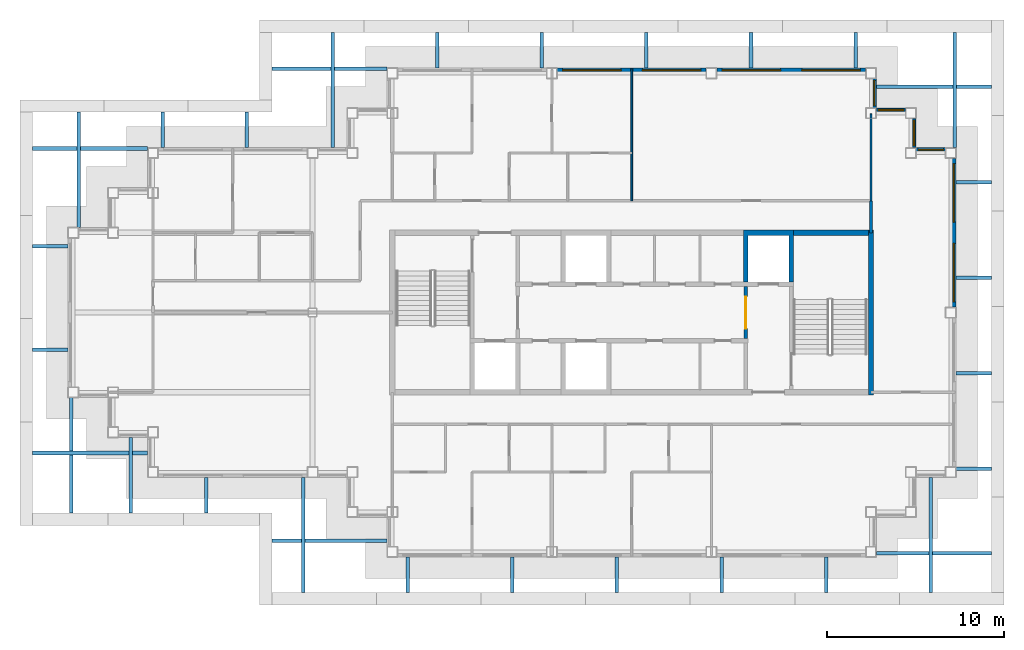
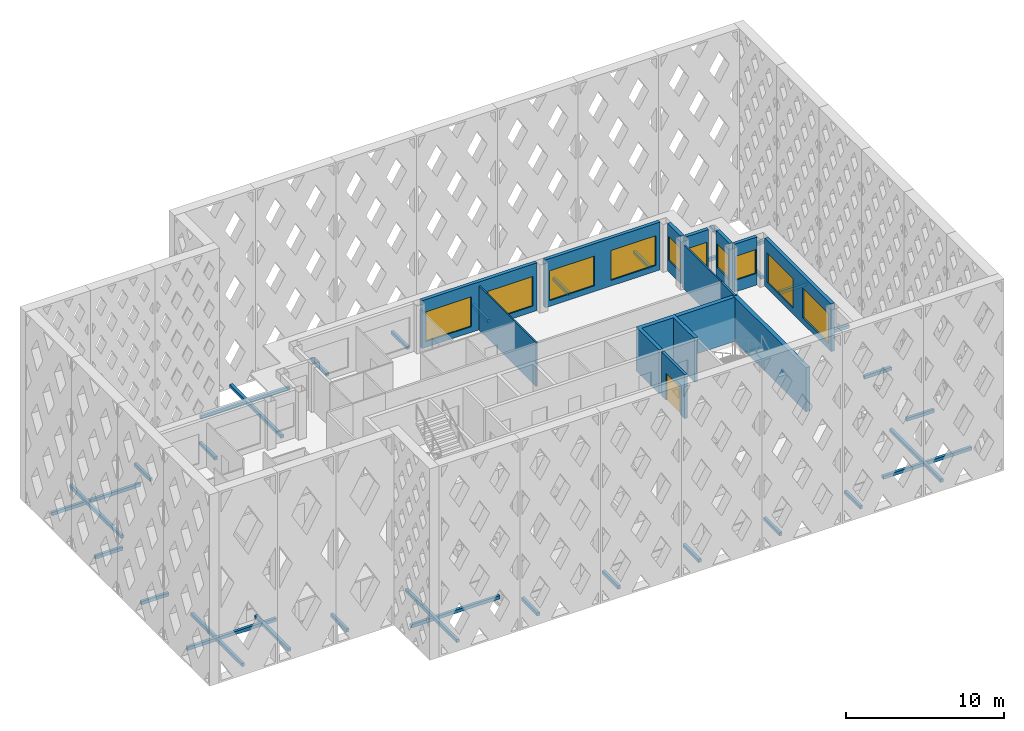
# One storey, part 6 of 15: 32 discrete accessories, 14 walls, 10 windows, 1 door, 11 openings.
"""IFC4 building model written with IfcOpenShell, lengths in metres."""

from ifc_helpers import new_model, si_unit, direction, frame, frame_2d, origin, origin_2d, place, context, subcontext, project, spatial, polyline, rectangle, outline, extrude, material, layer, layer_set, type_object, element, fill, save


model = new_model("IFC4")

# Units and contexts
model_context = context("Model", 3, precision=1e-05, world=origin(), true_north=direction((0.0, 1.0)))
body_context = subcontext(model_context, "Body", "Model", "MODEL_VIEW")
ifc_project = project(units=[si_unit("LENGTHUNIT", "METRE"), si_unit("AREAUNIT", "SQUARE_METRE"), si_unit("VOLUMEUNIT", "CUBIC_METRE"), si_unit("PLANEANGLEUNIT", "RADIAN"), si_unit("MASSUNIT", "GRAM", prefix="KILO")], contexts=[model_context])

# Site, building, storey
site_placement = place(None, origin())
site = spatial("IfcSite", under=ifc_project, at=site_placement, CompositionType="ELEMENT")
building_placement = place(site_placement, origin())
building = spatial("IfcBuilding", under=site, at=building_placement, Name="Caravel Reach Hotel and Residences", CompositionType="ELEMENT")
storey_placement = place(building_placement, frame((0.0, 0.0, 252.699951171875)))
storey = spatial("IfcBuildingStorey", under=building, at=storey_placement, Name="L64", CompositionType="ELEMENT", Elevation=252.699951171875)

# Walls
ifc_material_1 = material(Name="Concrete C60", Category="concrete")
ifc_layer_1 = layer(ifc_material_1, 0.300048828125)
ifc_layer_set_1 = layer_set([ifc_layer_1], Name="Core wall 300 mm EI 120")
wall_type_1 = type_object("IfcWallType", Name="Core wall 300 mm EI 120", PredefinedType="SHEAR", material=ifc_layer_set_1)
wall_1_placement = place(storey_placement, frame((40.625, 31.5, 0.0), z_axis=(0.0, 0.0, 1.0), x_axis=(1.0, 0.0, 0.0)))
element("IfcWall", 1, at=wall_1_placement, inside=storey, type_object=wall_type_1, Name="L64 core wall N3", PredefinedType="SHEAR", context=body_context, shape_type="SweptSolid", body=[
    extrude(rectangle(XDim=4.22509765625, YDim=0.300048828125, at=frame_2d((2.112548828125, 0.0))), origin(), (0.0, 0.0, 1.0), 3.400146484375),
])
wall_2_placement = place(storey_placement, frame((45.0, 22.35009765625, 0.0), z_axis=(0.0, 0.0, 1.0), x_axis=(0.0, 1.0, 0.0)))
element("IfcWall", 2, at=wall_2_placement, inside=storey, type_object=wall_type_1, Name="L64 core wall E", PredefinedType="SHEAR", context=body_context, shape_type="SweptSolid", body=[
    extrude(rectangle(XDim=9.2998046875, YDim=0.300048828125, at=frame_2d((4.64990234375, 0.0))), origin(), (0.0, 0.0, 1.0), 3.400146484375),
])
ifc_material_2 = material(Name="Gypsum board on steel stud, fire-rated", Category="steel")
ifc_layer_2 = layer(ifc_material_2, 0.14990234375)
ifc_layer_set_2 = layer_set([ifc_layer_2], Name="Corridor wall 150 mm EI 60")
wall_type_2 = type_object("IfcWallType", Name="Corridor wall 150 mm EI 60", PredefinedType="PARTITIONING", material=ifc_layer_set_2)
wall_3_placement = place(storey_placement, frame((45.0, 31.5, 0.0), z_axis=(0.0, 0.0, 1.0), x_axis=(0.0, 1.0, 0.0)))
element("IfcWall", 3, at=wall_3_placement, inside=storey, type_object=wall_type_2, Name="L64 wall w020", PredefinedType="PARTITIONING", context=body_context, shape_type="SweptSolid", body=[
    extrude(rectangle(XDim=1.800048828125, YDim=0.14990234375, at=frame_2d((0.89990234375, 0.0))), origin(), (0.0, 0.0, 1.0), 3.400146484375),
])

# Wall, openings, windows
ifc_material_3 = material(Name="Insulated rainscreen wall, aluminium cladding", Category="aluminium")
ifc_layer_3 = layer(ifc_material_3, 0.25)
ifc_layer_set_3 = layer_set([ifc_layer_3], Name="EW1 Tower rainscreen wall")
wall_type_3 = type_object("IfcWallType", Name="EW1 Tower rainscreen wall", PredefinedType="SOLIDWALL", material=ifc_layer_set_3)
wall_4_placement = place(storey_placement, frame((49.675048828125, 27.300048828125, 0.0), z_axis=(0.0, 0.0, 1.0), x_axis=(0.0, 1.0, 0.0)))
wall_4 = element("IfcWall", 4, at=wall_4_placement, inside=storey, type_object=wall_type_3, Name="External wall L64 E9.2", PredefinedType="SOLIDWALL", context=body_context, shape_type="SweptSolid", body=[
    extrude(rectangle(XDim=8.39990234375, YDim=0.25, at=frame_2d((4.199951171875, 0.0))), origin(), (0.0, 0.0, 1.0), 3.699951171875),
])
opening_1_placement = place(wall_4_placement, frame((0.300048828125, 0.0, 0.449951171875)))
opening_1 = element("IfcOpeningElement", 5, at=opening_1_placement, cuts=wall_4, Name="Opening WN15", PredefinedType="OPENING", context=body_context, shape_type="SweptSolid", body=[
    extrude(rectangle(XDim=3.300048828125, YDim=2.300048828125, at=frame_2d((1.64990234375, 1.14990234375))), frame((0.0, 0.135009765625, 0.0), z_axis=(0.0, -1.0, 0.0), x_axis=(1.0, 0.0, 0.0)), (0.0, 0.0, 1.0), 0.27001953125),
])
opening_2_placement = place(wall_4_placement, frame((4.800048828125, 0.0, 0.449951171875)))
opening_2 = element("IfcOpeningElement", 6, at=opening_2_placement, cuts=wall_4, Name="Opening WN15", PredefinedType="OPENING", context=body_context, shape_type="SweptSolid", body=[
    extrude(rectangle(XDim=3.300048828125, YDim=2.300048828125, at=frame_2d((1.64990234375, 1.14990234375))), frame((0.0, 0.135009765625, 0.0), z_axis=(0.0, -1.0, 0.0), x_axis=(1.0, 0.0, 0.0)), (0.0, 0.0, 1.0), 0.27001953125),
])
ifc_material_4 = material(Name="Dark low-e glazing in black aluminium frame", Category="aluminium")
window_type_1 = type_object("IfcWindowType", Name="Residence living window 3300 x 2300", PartitioningType="SINGLE_PANEL", PredefinedType="WINDOW", material=ifc_material_4)
window_1_placement = place(opening_1_placement, origin())
window_1 = element("IfcWindow", 7, at=window_1_placement, inside=storey, type_object=window_type_1, Name="Window L64 E9.2.1", OverallHeight=2.300048828125, OverallWidth=3.300048828125, PartitioningType="SINGLE_PANEL", PredefinedType="WINDOW", context=body_context, shape_type="SweptSolid", body=[
    extrude(rectangle(XDim=3.300048828125, YDim=2.300048828125, at=frame_2d((1.64990234375, 1.14990234375))), frame((0.0, 0.030029296875, 0.0), z_axis=(0.0, -1.0, 0.0), x_axis=(1.0, 0.0, 0.0)), (0.0, 0.0, 1.0), 0.06005859375),
])
fill(opening_1, window_1)
window_2_placement = place(opening_2_placement, origin())
window_2 = element("IfcWindow", 8, at=window_2_placement, inside=storey, type_object=window_type_1, Name="Window L64 E9.2.2", OverallHeight=2.300048828125, OverallWidth=3.300048828125, PartitioningType="SINGLE_PANEL", PredefinedType="WINDOW", context=body_context, shape_type="SweptSolid", body=[
    extrude(rectangle(XDim=3.300048828125, YDim=2.300048828125, at=frame_2d((1.64990234375, 1.14990234375))), frame((0.0, 0.030029296875, 0.0), z_axis=(0.0, -1.0, 0.0), x_axis=(1.0, 0.0, 0.0)), (0.0, 0.0, 1.0), 0.06005859375),
])
fill(opening_2, window_2)

# Wall, opening, window
wall_5_placement = place(storey_placement, frame((49.199951171875, 36.175048828125, 0.0), z_axis=(0.0, 0.0, 1.0), x_axis=(-1.0, 0.0, 0.0)))
wall_5 = element("IfcWall", 9, at=wall_5_placement, inside=storey, type_object=wall_type_3, Name="External wall L64 N10.1", PredefinedType="SOLIDWALL", context=body_context, shape_type="SweptSolid", body=[
    extrude(rectangle(XDim=1.64990234375, YDim=0.25, at=frame_2d((0.824951171875, 0.0))), origin(), (0.0, 0.0, 1.0), 3.699951171875),
])
opening_3_placement = place(wall_5_placement, frame((0.10009765625, 0.0, 0.89990234375)))
opening_3 = element("IfcOpeningElement", 10, at=opening_3_placement, cuts=wall_5, Name="Opening WN25", PredefinedType="OPENING", context=body_context, shape_type="SweptSolid", body=[
    extrude(rectangle(XDim=1.449951171875, YDim=1.85009765625, at=frame_2d((0.72509765625, 0.925048828125))), frame((0.0, 0.135009765625, 0.0), z_axis=(0.0, -1.0, 0.0), x_axis=(1.0, 0.0, 0.0)), (0.0, 0.0, 1.0), 0.27001953125),
])
ifc_material_5 = material(Name="Dark low-e glazing in black aluminium frame", Category="aluminium")
window_type_2 = type_object("IfcWindowType", Name="Residence bedroom window 1450 x 1850", PartitioningType="SINGLE_PANEL", PredefinedType="WINDOW", material=ifc_material_5)
window_3_placement = place(opening_3_placement, origin())
window_3 = element("IfcWindow", 11, at=window_3_placement, inside=storey, type_object=window_type_2, Name="Window L64 N10.1.1", OverallHeight=1.85009765625, OverallWidth=1.449951171875, PartitioningType="SINGLE_PANEL", PredefinedType="WINDOW", context=body_context, shape_type="SweptSolid", body=[
    extrude(rectangle(XDim=1.449951171875, YDim=1.85009765625, at=frame_2d((0.72509765625, 0.925048828125))), frame((0.0, 0.030029296875, 0.0), z_axis=(0.0, -1.0, 0.0), x_axis=(1.0, 0.0, 0.0)), (0.0, 0.0, 1.0), 0.06005859375),
])
fill(opening_3, window_3)

wall_6_placement = place(storey_placement, frame((47.425048828125, 36.300048828125, 0.0), z_axis=(0.0, 0.0, 1.0), x_axis=(0.0, 1.0, 0.0)))
wall_6 = element("IfcWall", 12, at=wall_6_placement, inside=storey, type_object=wall_type_3, Name="External wall L64 E11.1", PredefinedType="SOLIDWALL", context=body_context, shape_type="SweptSolid", body=[
    extrude(rectangle(XDim=1.64990234375, YDim=0.25, at=frame_2d((0.824951171875, 0.0))), origin(), (0.0, 0.0, 1.0), 3.699951171875),
])
opening_4_placement = place(wall_6_placement, frame((0.10009765625, 0.0, 0.89990234375)))
opening_4 = element("IfcOpeningElement", 13, at=opening_4_placement, cuts=wall_6, Name="Opening WN25", PredefinedType="OPENING", context=body_context, shape_type="SweptSolid", body=[
    extrude(rectangle(XDim=1.449951171875, YDim=1.85009765625, at=frame_2d((0.72509765625, 0.925048828125))), frame((0.0, 0.135009765625, 0.0), z_axis=(0.0, -1.0, 0.0), x_axis=(1.0, 0.0, 0.0)), (0.0, 0.0, 1.0), 0.27001953125),
])
window_4_placement = place(opening_4_placement, origin())
window_4 = element("IfcWindow", 14, at=window_4_placement, inside=storey, type_object=window_type_2, Name="Window L64 E11.1.1", OverallHeight=1.85009765625, OverallWidth=1.449951171875, PartitioningType="SINGLE_PANEL", PredefinedType="WINDOW", context=body_context, shape_type="SweptSolid", body=[
    extrude(rectangle(XDim=1.449951171875, YDim=1.85009765625, at=frame_2d((0.72509765625, 0.925048828125))), frame((0.0, 0.030029296875, 0.0), z_axis=(0.0, -1.0, 0.0), x_axis=(1.0, 0.0, 0.0)), (0.0, 0.0, 1.0), 0.06005859375),
])
fill(opening_4, window_4)

wall_7_placement = place(storey_placement, frame((46.949951171875, 38.425048828125, 0.0), z_axis=(0.0, 0.0, 1.0), x_axis=(-1.0, 0.0, 0.0)))
wall_7 = element("IfcWall", 15, at=wall_7_placement, inside=storey, type_object=wall_type_3, Name="External wall L64 N12.1", PredefinedType="SOLIDWALL", context=body_context, shape_type="SweptSolid", body=[
    extrude(rectangle(XDim=1.64990234375, YDim=0.25, at=frame_2d((0.824951171875, 0.0))), origin(), (0.0, 0.0, 1.0), 3.699951171875),
])
opening_5_placement = place(wall_7_placement, frame((0.10009765625, 0.0, 0.89990234375)))
opening_5 = element("IfcOpeningElement", 16, at=opening_5_placement, cuts=wall_7, Name="Opening WN25", PredefinedType="OPENING", context=body_context, shape_type="SweptSolid", body=[
    extrude(rectangle(XDim=1.449951171875, YDim=1.85009765625, at=frame_2d((0.72509765625, 0.925048828125))), frame((0.0, 0.135009765625, 0.0), z_axis=(0.0, -1.0, 0.0), x_axis=(1.0, 0.0, 0.0)), (0.0, 0.0, 1.0), 0.27001953125),
])
window_5_placement = place(opening_5_placement, origin())
window_5 = element("IfcWindow", 17, at=window_5_placement, inside=storey, type_object=window_type_2, Name="Window L64 N12.1.1", OverallHeight=1.85009765625, OverallWidth=1.449951171875, PartitioningType="SINGLE_PANEL", PredefinedType="WINDOW", context=body_context, shape_type="SweptSolid", body=[
    extrude(rectangle(XDim=1.449951171875, YDim=1.85009765625, at=frame_2d((0.72509765625, 0.925048828125))), frame((0.0, 0.030029296875, 0.0), z_axis=(0.0, -1.0, 0.0), x_axis=(1.0, 0.0, 0.0)), (0.0, 0.0, 1.0), 0.06005859375),
])
fill(opening_5, window_5)

wall_8_placement = place(storey_placement, frame((45.175048828125, 38.550048828125, 0.0), z_axis=(0.0, 0.0, 1.0), x_axis=(0.0, 1.0, 0.0)))
wall_8 = element("IfcWall", 18, at=wall_8_placement, inside=storey, type_object=wall_type_3, Name="External wall L64 E13.1", PredefinedType="SOLIDWALL", context=body_context, shape_type="SweptSolid", body=[
    extrude(rectangle(XDim=1.64990234375, YDim=0.25, at=frame_2d((0.824951171875, 0.0))), origin(), (0.0, 0.0, 1.0), 3.699951171875),
])
opening_6_placement = place(wall_8_placement, frame((0.10009765625, 0.0, 0.89990234375)))
opening_6 = element("IfcOpeningElement", 19, at=opening_6_placement, cuts=wall_8, Name="Opening WN25", PredefinedType="OPENING", context=body_context, shape_type="SweptSolid", body=[
    extrude(rectangle(XDim=1.449951171875, YDim=1.85009765625, at=frame_2d((0.72509765625, 0.925048828125))), frame((0.0, 0.135009765625, 0.0), z_axis=(0.0, -1.0, 0.0), x_axis=(1.0, 0.0, 0.0)), (0.0, 0.0, 1.0), 0.27001953125),
])
window_6_placement = place(opening_6_placement, origin())
window_6 = element("IfcWindow", 20, at=window_6_placement, inside=storey, type_object=window_type_2, Name="Window L64 E13.1.1", OverallHeight=1.85009765625, OverallWidth=1.449951171875, PartitioningType="SINGLE_PANEL", PredefinedType="WINDOW", context=body_context, shape_type="SweptSolid", body=[
    extrude(rectangle(XDim=1.449951171875, YDim=1.85009765625, at=frame_2d((0.72509765625, 0.925048828125))), frame((0.0, 0.030029296875, 0.0), z_axis=(0.0, -1.0, 0.0), x_axis=(1.0, 0.0, 0.0)), (0.0, 0.0, 1.0), 0.06005859375),
])
fill(opening_6, window_6)

# Wall, openings, windows
wall_9_placement = place(storey_placement, frame((44.699951171875, 40.675048828125, 0.0), z_axis=(0.0, 0.0, 1.0), x_axis=(-1.0, 0.0, 0.0)))
wall_9 = element("IfcWall", 21, at=wall_9_placement, inside=storey, type_object=wall_type_3, Name="External wall L64 N14.1", PredefinedType="SOLIDWALL", context=body_context, shape_type="SweptSolid", body=[
    extrude(rectangle(XDim=8.39990234375, YDim=0.25, at=frame_2d((4.199951171875, 0.0))), origin(), (0.0, 0.0, 1.0), 3.699951171875),
])
opening_7_placement = place(wall_9_placement, frame((0.300048828125, 0.0, 0.449951171875)))
opening_7 = element("IfcOpeningElement", 22, at=opening_7_placement, cuts=wall_9, Name="Opening WN15", PredefinedType="OPENING", context=body_context, shape_type="SweptSolid", body=[
    extrude(rectangle(XDim=3.300048828125, YDim=2.300048828125, at=frame_2d((1.64990234375, 1.14990234375))), frame((0.0, 0.135009765625, 0.0), z_axis=(0.0, -1.0, 0.0), x_axis=(1.0, 0.0, 0.0)), (0.0, 0.0, 1.0), 0.27001953125),
])
opening_8_placement = place(wall_9_placement, frame((4.800048828125, 0.0, 0.449951171875)))
opening_8 = element("IfcOpeningElement", 23, at=opening_8_placement, cuts=wall_9, Name="Opening WN15", PredefinedType="OPENING", context=body_context, shape_type="SweptSolid", body=[
    extrude(rectangle(XDim=3.300048828125, YDim=2.300048828125, at=frame_2d((1.64990234375, 1.14990234375))), frame((0.0, 0.135009765625, 0.0), z_axis=(0.0, -1.0, 0.0), x_axis=(1.0, 0.0, 0.0)), (0.0, 0.0, 1.0), 0.27001953125),
])
window_7_placement = place(opening_7_placement, origin())
window_7 = element("IfcWindow", 24, at=window_7_placement, inside=storey, type_object=window_type_1, Name="Window L64 N14.1.1", OverallHeight=2.300048828125, OverallWidth=3.300048828125, PartitioningType="SINGLE_PANEL", PredefinedType="WINDOW", context=body_context, shape_type="SweptSolid", body=[
    extrude(rectangle(XDim=3.300048828125, YDim=2.300048828125, at=frame_2d((1.64990234375, 1.14990234375))), frame((0.0, 0.030029296875, 0.0), z_axis=(0.0, -1.0, 0.0), x_axis=(1.0, 0.0, 0.0)), (0.0, 0.0, 1.0), 0.06005859375),
])
fill(opening_7, window_7)
window_8_placement = place(opening_8_placement, origin())
window_8 = element("IfcWindow", 25, at=window_8_placement, inside=storey, type_object=window_type_1, Name="Window L64 N14.1.2", OverallHeight=2.300048828125, OverallWidth=3.300048828125, PartitioningType="SINGLE_PANEL", PredefinedType="WINDOW", context=body_context, shape_type="SweptSolid", body=[
    extrude(rectangle(XDim=3.300048828125, YDim=2.300048828125, at=frame_2d((1.64990234375, 1.14990234375))), frame((0.0, 0.030029296875, 0.0), z_axis=(0.0, -1.0, 0.0), x_axis=(1.0, 0.0, 0.0)), (0.0, 0.0, 1.0), 0.06005859375),
])
fill(opening_8, window_8)

wall_10_placement = place(storey_placement, frame((35.699951171875, 40.675048828125, 0.0), z_axis=(0.0, 0.0, 1.0), x_axis=(-1.0, 0.0, 0.0)))
wall_10 = element("IfcWall", 26, at=wall_10_placement, inside=storey, type_object=wall_type_3, Name="External wall L64 N14.2", PredefinedType="SOLIDWALL", context=body_context, shape_type="SweptSolid", body=[
    extrude(rectangle(XDim=8.39990234375, YDim=0.25, at=frame_2d((4.199951171875, 0.0))), origin(), (0.0, 0.0, 1.0), 3.699951171875),
])
opening_9_placement = place(wall_10_placement, frame((0.300048828125, 0.0, 0.449951171875)))
opening_9 = element("IfcOpeningElement", 27, at=opening_9_placement, cuts=wall_10, Name="Opening WN15", PredefinedType="OPENING", context=body_context, shape_type="SweptSolid", body=[
    extrude(rectangle(XDim=3.300048828125, YDim=2.300048828125, at=frame_2d((1.64990234375, 1.14990234375))), frame((0.0, 0.135009765625, 0.0), z_axis=(0.0, -1.0, 0.0), x_axis=(1.0, 0.0, 0.0)), (0.0, 0.0, 1.0), 0.27001953125),
])
opening_10_placement = place(wall_10_placement, frame((4.800048828125, 0.0, 0.449951171875)))
opening_10 = element("IfcOpeningElement", 28, at=opening_10_placement, cuts=wall_10, Name="Opening WN15", PredefinedType="OPENING", context=body_context, shape_type="SweptSolid", body=[
    extrude(rectangle(XDim=3.300048828125, YDim=2.300048828125, at=frame_2d((1.64990234375, 1.14990234375))), frame((0.0, 0.135009765625, 0.0), z_axis=(0.0, -1.0, 0.0), x_axis=(1.0, 0.0, 0.0)), (0.0, 0.0, 1.0), 0.27001953125),
])
window_9_placement = place(opening_9_placement, origin())
window_9 = element("IfcWindow", 29, at=window_9_placement, inside=storey, type_object=window_type_1, Name="Window L64 N14.2.1", OverallHeight=2.300048828125, OverallWidth=3.300048828125, PartitioningType="SINGLE_PANEL", PredefinedType="WINDOW", context=body_context, shape_type="SweptSolid", body=[
    extrude(rectangle(XDim=3.300048828125, YDim=2.300048828125, at=frame_2d((1.64990234375, 1.14990234375))), frame((0.0, 0.030029296875, 0.0), z_axis=(0.0, -1.0, 0.0), x_axis=(1.0, 0.0, 0.0)), (0.0, 0.0, 1.0), 0.06005859375),
])
fill(opening_9, window_9)
window_10_placement = place(opening_10_placement, origin())
window_10 = element("IfcWindow", 30, at=window_10_placement, inside=storey, type_object=window_type_1, Name="Window L64 N14.2.2", OverallHeight=2.300048828125, OverallWidth=3.300048828125, PartitioningType="SINGLE_PANEL", PredefinedType="WINDOW", context=body_context, shape_type="SweptSolid", body=[
    extrude(rectangle(XDim=3.300048828125, YDim=2.300048828125, at=frame_2d((1.64990234375, 1.14990234375))), frame((0.0, 0.030029296875, 0.0), z_axis=(0.0, -1.0, 0.0), x_axis=(1.0, 0.0, 0.0)), (0.0, 0.0, 1.0), 0.06005859375),
])
fill(opening_10, window_10)

# Wall, opening, door
ifc_material_6 = material(Name="Autoclaved aerated block wall")
ifc_layer_4 = layer(ifc_material_6, 0.199951171875)
ifc_layer_set_4 = layer_set([ifc_layer_4], Name="Fire lobby wall 200 mm EI 120")
wall_type_4 = type_object("IfcWallType", Name="Fire lobby wall 200 mm EI 120", PredefinedType="PARTITIONING", material=ifc_layer_set_4)
wall_11_placement = place(storey_placement, frame((37.928466796875, 25.52490234375, 0.0), z_axis=(0.0, 0.0, 1.0), x_axis=(0.0, 1.0, 0.0)))
wall_11 = element("IfcWall", 31, at=wall_11_placement, inside=storey, type_object=wall_type_4, Name="L64 lobby E wall", PredefinedType="PARTITIONING", context=body_context, shape_type="SweptSolid", body=[
    extrude(rectangle(XDim=2.9501953125, YDim=0.199951171875, at=frame_2d((1.47509765625, 0.0))), origin(), (0.0, 0.0, 1.0), 3.400146484375),
])
opening_11_placement = place(wall_11_placement, frame((0.574951171875, 0.0, 0.0)))
opening_11 = element("IfcOpeningElement", 32, at=opening_11_placement, cuts=wall_11, Name="Opening D64-015", PredefinedType="OPENING", context=body_context, shape_type="SweptSolid", body=[
    extrude(rectangle(XDim=1.800048828125, YDim=2.10009765625, at=frame_2d((0.89990234375, 1.050048828125))), frame((0.0, 0.10986328125, 0.0), z_axis=(0.0, -1.0, 0.0), x_axis=(1.0, 0.0, 0.0)), (0.0, 0.0, 1.0), 0.219970703125),
])
ifc_material_7 = material(Name="Steel fire door leaf", Category="steel")
door_type = type_object("IfcDoorType", Name="Fire lobby door pair 1800 x 2100 EI 90", OperationType="DOUBLE_DOOR_SINGLE_SWING", PredefinedType="DOOR", material=ifc_material_7)
door_placement = place(opening_11_placement, origin())
door = element("IfcDoor", 33, at=door_placement, inside=storey, type_object=door_type, Name="lobby E door pair", OperationType="DOUBLE_DOOR_SINGLE_SWING", OverallHeight=2.10009765625, OverallWidth=1.800048828125, PredefinedType="DOOR", context=body_context, shape_type="SweptSolid", body=[
    extrude(rectangle(XDim=1.800048828125, YDim=2.10009765625, at=frame_2d((0.89990234375, 1.050048828125))), frame((0.0, 0.02490234375, 0.0), z_axis=(0.0, -1.0, 0.0), x_axis=(1.0, 0.0, 0.0)), (0.0, 0.0, 1.0), 0.050048828125),
])
fill(opening_11, door)

# Walls
ifc_material_8 = material(Name="Gypsum board on steel stud", Category="steel")
ifc_layer_5 = layer(ifc_material_8, 0.10009765625)
ifc_layer_set_5 = layer_set([ifc_layer_5], Name="Partition 100 mm")
wall_type_5 = type_object("IfcWallType", Name="Partition 100 mm", PredefinedType="PARTITIONING", material=ifc_layer_set_5)
wall_12_placement = place(storey_placement, frame((31.5, 33.300048828125, 0.0), z_axis=(0.0, 0.0, 1.0), x_axis=(0.0, 1.0, 0.0)))
element("IfcWall", 34, at=wall_12_placement, inside=storey, type_object=wall_type_5, Name="L64 wall w044", PredefinedType="PARTITIONING", context=body_context, shape_type="SweptSolid", body=[
    extrude(rectangle(XDim=7.43994140625, YDim=0.10009765625, at=frame_2d((3.719970703125, 0.0))), origin(), (0.0, 0.0, 1.0), 3.400146484375),
])
wall_13_placement = place(storey_placement, frame((45.0, 33.300048828125, 0.0), z_axis=(0.0, 0.0, 1.0), x_axis=(0.0, 1.0, 0.0)))
element("IfcWall", 35, at=wall_13_placement, inside=storey, type_object=wall_type_5, Name="L64 wall w049", PredefinedType="PARTITIONING", context=body_context, shape_type="SweptSolid", body=[
    extrude(rectangle(XDim=4.89990234375, YDim=0.10009765625, at=frame_2d((2.449951171875, 0.0))), origin(), (0.0, 0.0, 1.0), 3.400146484375),
])
ifc_material_9 = material(Name="Concrete C60", Category="concrete")
ifc_layer_6 = layer(ifc_material_9, 0.25)
ifc_layer_set_6 = layer_set([ifc_layer_6], Name="Shaft wall 250 mm EI 120")
wall_type_6 = type_object("IfcWallType", Name="Shaft wall 250 mm EI 120", PredefinedType="SHEAR", material=ifc_layer_set_6)
wall_14_placement = place(storey_placement, origin())
element("IfcWall", 36, at=wall_14_placement, inside=storey, type_object=wall_type_6, Name="L64 lift shaft wall N2", PredefinedType="SHEAR", context=body_context, shape_type="SweptSolid", body=[
    extrude(outline(polyline([(37.803466796875, 28.72509765625), (38.053466796875, 28.72509765625), (38.053466796875, 31.35009765625), (40.375, 31.35009765625), (40.375, 28.72509765625), (40.625, 28.72509765625), (40.625, 31.64990234375), (37.803466796875, 31.64990234375), (37.803466796875, 28.72509765625)])), origin(), (0.0, 0.0, 1.0), 3.400146484375),
])

# Discrete accessories
ifc_material_10 = material(Name="Black powder-coated aluminium", Category="aluminium")
discrete_accessory_type = type_object("IfcDiscreteAccessoryType", Name="BR1 Screen bracket", PredefinedType="BRACKET", material=ifc_material_10)
discrete_accessory_1_placement = place(storey_placement, frame((-0.1201171875, 18.949951171875, 0.10009765625), z_axis=(0.0, 0.0, 1.0), x_axis=(0.0, -1.0, 0.0)))
element("IfcDiscreteAccessory", 37, at=discrete_accessory_1_placement, inside=storey, type_object=discrete_accessory_type, Name="Screen bracket L64 1.1.1", PredefinedType="BRACKET", context=body_context, shape_type="SweptSolid", body=[
    extrude(rectangle(XDim=6.5, YDim=0.199951171875, at=origin_2d()), origin(), (0.0, 0.0, 1.0), 0.25),
])
discrete_accessory_2_placement = place(storey_placement, frame((3.24658203125, 17.824951171875, 0.10009765625), z_axis=(0.0, 0.0, 1.0), x_axis=(0.0, -1.0, 0.0)))
element("IfcDiscreteAccessory", 38, at=discrete_accessory_2_placement, inside=storey, type_object=discrete_accessory_type, Name="Screen bracket L64 1.2.1", PredefinedType="BRACKET", context=body_context, shape_type="SweptSolid", body=[
    extrude(rectangle(XDim=4.25, YDim=0.199951171875, at=origin_2d()), origin(), (0.0, 0.0, 1.0), 0.25),
])
discrete_accessory_3_placement = place(storey_placement, frame((7.513427734375, 16.699951171875, 0.10009765625), z_axis=(0.0, 0.0, 1.0), x_axis=(0.0, -1.0, 0.0)))
element("IfcDiscreteAccessory", 39, at=discrete_accessory_3_placement, inside=storey, type_object=discrete_accessory_type, Name="Screen bracket L64 1.3.1", PredefinedType="BRACKET", context=body_context, shape_type="SweptSolid", body=[
    extrude(rectangle(XDim=2.0, YDim=0.199951171875, at=origin_2d()), origin(), (0.0, 0.0, 1.0), 0.25),
])
for number, where, z_axis, x_axis, name in (
    (40, (14.449951171875, 14.139892578125, 0.10009765625), (0.0, 0.0, 1.0), (-1.0, 0.0, 0.0), "Screen bracket L64 2.1.1"),
    (41, (12.969970703125, 14.449951171875, 0.10009765625), (0.0, 0.0, 1.0), (0.0, -1.0, 0.0), "Screen bracket L64 3.1.1"),
):
    element("IfcDiscreteAccessory", number, at=place(storey_placement, frame(where, z_axis=z_axis, x_axis=x_axis)), inside=storey, type_object=discrete_accessory_type, Name=name, PredefinedType="BRACKET", context=body_context, shape_type="SweptSolid", body=[
        extrude(rectangle(XDim=6.5, YDim=0.199951171875, at=origin_2d()), origin(), (0.0, 0.0, 1.0), 0.25),
    ])
for number, where, z_axis, x_axis, name in (
    (42, (18.8701171875, 12.199951171875, 0.10009765625), (0.0, 0.0, 1.0), (0.0, -1.0, 0.0), "Screen bracket L64 3.2.1"),
    (43, (24.77001953125, 12.199951171875, 0.10009765625), (0.0, 0.0, 1.0), (0.0, -1.0, 0.0), "Screen bracket L64 3.3.1"),
    (44, (30.669921875, 12.199951171875, 0.10009765625), (0.0, 0.0, 1.0), (0.0, -1.0, 0.0), "Screen bracket L64 3.4.1"),
    (45, (36.570068359375, 12.199951171875, 0.10009765625), (0.0, 0.0, 1.0), (0.0, -1.0, 0.0), "Screen bracket L64 3.5.1"),
    (46, (42.469970703125, 12.199951171875, 0.10009765625), (0.0, 0.0, 1.0), (0.0, -1.0, 0.0), "Screen bracket L64 3.6.1"),
):
    element("IfcDiscreteAccessory", number, at=place(storey_placement, frame(where, z_axis=z_axis, x_axis=x_axis)), inside=storey, type_object=discrete_accessory_type, Name=name, PredefinedType="BRACKET", context=body_context, shape_type="SweptSolid", body=[
        extrude(rectangle(XDim=2.0, YDim=0.199951171875, at=origin_2d()), origin(), (0.0, 0.0, 1.0), 0.25),
    ])
for number, where, z_axis, x_axis, name in (
    (47, (48.3701171875, 14.449951171875, 0.10009765625), (0.0, 0.0, 1.0), (0.0, -1.0, 0.0), "Screen bracket L64 3.7.1"),
    (48, (48.550048828125, 13.4150390625, 0.10009765625), (0.0, 0.0, 1.0), (1.0, 0.0, 0.0), "Screen bracket L64 4.1.1"),
):
    element("IfcDiscreteAccessory", number, at=place(storey_placement, frame(where, z_axis=z_axis, x_axis=x_axis)), inside=storey, type_object=discrete_accessory_type, Name=name, PredefinedType="BRACKET", context=body_context, shape_type="SweptSolid", body=[
        extrude(rectangle(XDim=6.5, YDim=0.199951171875, at=origin_2d()), origin(), (0.0, 0.0, 1.0), 0.25),
    ])
for number, where, z_axis, x_axis, name in (
    (49, (50.800048828125, 18.1982421875, 0.10009765625), (0.0, 0.0, 1.0), (1.0, 0.0, 0.0), "Screen bracket L64 4.2.1"),
    (50, (50.800048828125, 23.581787109375, 0.10009765625), (0.0, 0.0, 1.0), (1.0, 0.0, 0.0), "Screen bracket L64 4.3.1"),
    (51, (50.800048828125, 28.965087890625, 0.10009765625), (0.0, 0.0, 1.0), (1.0, 0.0, 0.0), "Screen bracket L64 4.4.1"),
    (52, (50.800048828125, 34.348388671875, 0.10009765625), (0.0, 0.0, 1.0), (1.0, 0.0, 0.0), "Screen bracket L64 4.5.1"),
):
    element("IfcDiscreteAccessory", number, at=place(storey_placement, frame(where, z_axis=z_axis, x_axis=x_axis)), inside=storey, type_object=discrete_accessory_type, Name=name, PredefinedType="BRACKET", context=body_context, shape_type="SweptSolid", body=[
        extrude(rectangle(XDim=2.0, YDim=0.199951171875, at=origin_2d()), origin(), (0.0, 0.0, 1.0), 0.25),
    ])
for number, where, z_axis, x_axis, name in (
    (53, (48.550048828125, 39.731689453125, 0.10009765625), (0.0, 0.0, 1.0), (1.0, 0.0, 0.0), "Screen bracket L64 4.6.1"),
    (54, (49.72998046875, 39.550048828125, 0.10009765625), (0.0, 0.0, 1.0), (0.0, 1.0, 0.0), "Screen bracket L64 5.1.1"),
):
    element("IfcDiscreteAccessory", number, at=place(storey_placement, frame(where, z_axis=z_axis, x_axis=x_axis)), inside=storey, type_object=discrete_accessory_type, Name=name, PredefinedType="BRACKET", context=body_context, shape_type="SweptSolid", body=[
        extrude(rectangle(XDim=6.5, YDim=0.199951171875, at=origin_2d()), origin(), (0.0, 0.0, 1.0), 0.25),
    ])
for number, where, z_axis, x_axis, name in (
    (55, (44.1298828125, 41.800048828125, 0.10009765625), (0.0, 0.0, 1.0), (0.0, 1.0, 0.0), "Screen bracket L64 5.2.1"),
    (56, (38.22998046875, 41.800048828125, 0.10009765625), (0.0, 0.0, 1.0), (0.0, 1.0, 0.0), "Screen bracket L64 5.3.1"),
    (57, (32.330078125, 41.800048828125, 0.10009765625), (0.0, 0.0, 1.0), (0.0, 1.0, 0.0), "Screen bracket L64 5.4.1"),
    (58, (26.429931640625, 41.800048828125, 0.10009765625), (0.0, 0.0, 1.0), (0.0, 1.0, 0.0), "Screen bracket L64 5.5.1"),
    (59, (20.530029296875, 41.800048828125, 0.10009765625), (0.0, 0.0, 1.0), (0.0, 1.0, 0.0), "Screen bracket L64 5.6.1"),
):
    element("IfcDiscreteAccessory", number, at=place(storey_placement, frame(where, z_axis=z_axis, x_axis=x_axis)), inside=storey, type_object=discrete_accessory_type, Name=name, PredefinedType="BRACKET", context=body_context, shape_type="SweptSolid", body=[
        extrude(rectangle(XDim=2.0, YDim=0.199951171875, at=origin_2d()), origin(), (0.0, 0.0, 1.0), 0.25),
    ])
for number, where, z_axis, x_axis, name in (
    (60, (14.6298828125, 39.550048828125, 0.10009765625), (0.0, 0.0, 1.0), (0.0, 1.0, 0.0), "Screen bracket L64 5.7.1"),
    (61, (14.449951171875, 40.760009765625, 0.10009765625), (0.0, 0.0, 1.0), (-1.0, 0.0, 0.0), "Screen bracket L64 6.1.1"),
):
    element("IfcDiscreteAccessory", number, at=place(storey_placement, frame(where, z_axis=z_axis, x_axis=x_axis)), inside=storey, type_object=discrete_accessory_type, Name=name, PredefinedType="BRACKET", context=body_context, shape_type="SweptSolid", body=[
        extrude(rectangle(XDim=6.5, YDim=0.199951171875, at=origin_2d()), origin(), (0.0, 0.0, 1.0), 0.25),
    ])
for number, where, z_axis, x_axis, name in (
    (62, (9.780029296875, 37.300048828125, 0.10009765625), (0.0, 0.0, 1.0), (0.0, 1.0, 0.0), "Screen bracket L64 7.1.1"),
    (63, (5.046630859375, 37.300048828125, 0.10009765625), (0.0, 0.0, 1.0), (0.0, 1.0, 0.0), "Screen bracket L64 7.2.1"),
):
    element("IfcDiscreteAccessory", number, at=place(storey_placement, frame(where, z_axis=z_axis, x_axis=x_axis)), inside=storey, type_object=discrete_accessory_type, Name=name, PredefinedType="BRACKET", context=body_context, shape_type="SweptSolid", body=[
        extrude(rectangle(XDim=2.0, YDim=0.199951171875, at=origin_2d()), origin(), (0.0, 0.0, 1.0), 0.25),
    ])
for number, where, z_axis, x_axis, name in (
    (64, (0.313232421875, 35.050048828125, 0.10009765625), (0.0, 0.0, 1.0), (0.0, 1.0, 0.0), "Screen bracket L64 7.3.1"),
    (65, (0.949951171875, 36.25244140625, 0.10009765625), (0.0, 0.0, 1.0), (-1.0, 0.0, 0.0), "Screen bracket L64 8.1.1"),
):
    element("IfcDiscreteAccessory", number, at=place(storey_placement, frame(where, z_axis=z_axis, x_axis=x_axis)), inside=storey, type_object=discrete_accessory_type, Name=name, PredefinedType="BRACKET", context=body_context, shape_type="SweptSolid", body=[
        extrude(rectangle(XDim=6.5, YDim=0.199951171875, at=origin_2d()), origin(), (0.0, 0.0, 1.0), 0.25),
    ])
for number, where, z_axis, x_axis, name in (
    (66, (-1.300048828125, 30.7275390625, 0.10009765625), (0.0, 0.0, 1.0), (-1.0, 0.0, 0.0), "Screen bracket L64 8.2.1"),
    (67, (-1.300048828125, 24.902587890625, 0.10009765625), (0.0, 0.0, 1.0), (-1.0, 0.0, 0.0), "Screen bracket L64 8.3.1"),
):
    element("IfcDiscreteAccessory", number, at=place(storey_placement, frame(where, z_axis=z_axis, x_axis=x_axis)), inside=storey, type_object=discrete_accessory_type, Name=name, PredefinedType="BRACKET", context=body_context, shape_type="SweptSolid", body=[
        extrude(rectangle(XDim=2.0, YDim=0.199951171875, at=origin_2d()), origin(), (0.0, 0.0, 1.0), 0.25),
    ])
discrete_accessory_4_placement = place(storey_placement, frame((0.949951171875, 19.077392578125, 0.10009765625), z_axis=(0.0, 0.0, 1.0), x_axis=(-1.0, 0.0, 0.0)))
element("IfcDiscreteAccessory", 68, at=discrete_accessory_4_placement, inside=storey, type_object=discrete_accessory_type, Name="Screen bracket L64 8.4.1", PredefinedType="BRACKET", context=body_context, shape_type="SweptSolid", body=[
    extrude(rectangle(XDim=6.5, YDim=0.199951171875, at=origin_2d()), origin(), (0.0, 0.0, 1.0), 0.25),
])

save(model, "model.ifc")
